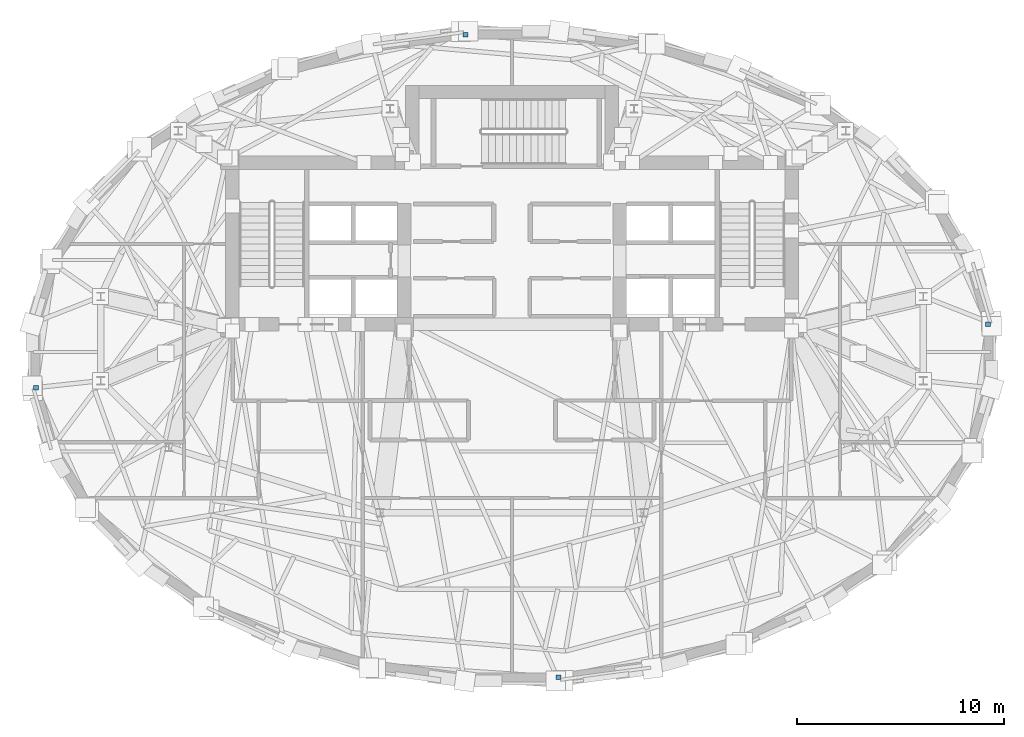
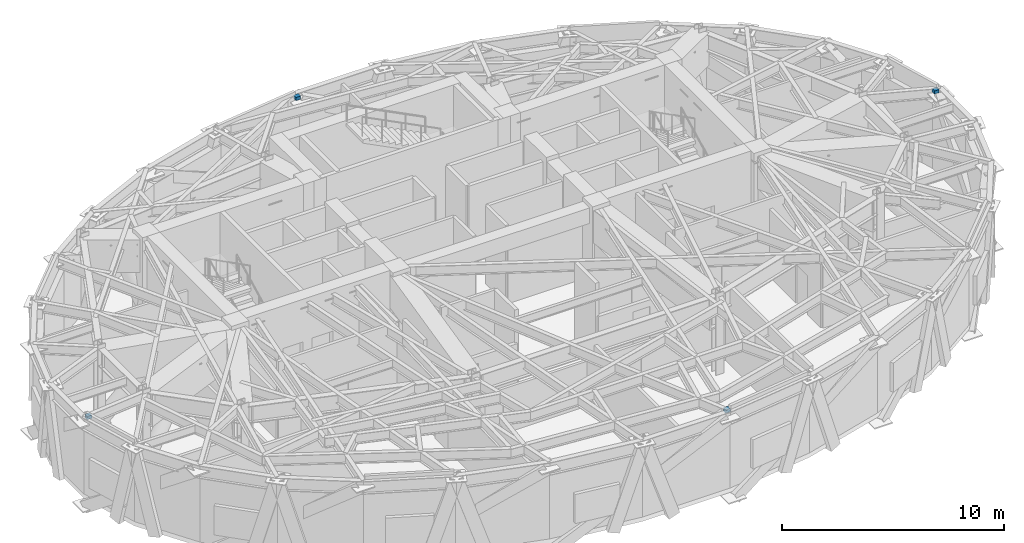
# One storey, part 9 of 12: 4 discrete accessories.
"""IFC4 building model written with IfcOpenShell, lengths in metres."""

from ifc_helpers import new_model, si_unit, direction, frame, origin, origin_2d, place, context, subcontext, project, spatial, rectangle, extrude, material, type_object, element, save


model = new_model("IFC4")

# Units and contexts
model_context = context("Model", 3, precision=1e-05, world=origin(), true_north=direction((0.0, 1.0)))
body_context = subcontext(model_context, "Body", "Model", "MODEL_VIEW")
ifc_project = project(units=[si_unit("LENGTHUNIT", "METRE"), si_unit("AREAUNIT", "SQUARE_METRE"), si_unit("VOLUMEUNIT", "CUBIC_METRE"), si_unit("PLANEANGLEUNIT", "RADIAN"), si_unit("MASSUNIT", "GRAM", prefix="KILO")], contexts=[model_context])

# Site, building, storey
site_placement = place(None, origin())
site = spatial("IfcSite", under=ifc_project, at=site_placement, CompositionType="ELEMENT")
building_placement = place(site_placement, origin())
building = spatial("IfcBuilding", under=site, at=building_placement, Name="Keldmark Tower", CompositionType="ELEMENT")
storey_placement = place(building_placement, frame((0.0, 0.0, 201.39990234375)))
storey = spatial("IfcBuildingStorey", under=building, at=storey_placement, Name="L56", CompositionType="ELEMENT", Elevation=201.39990234375)

# Discrete accessories
ifc_material = material(Name="Hot-Dip Galvanized Steel ASTM A572 Grade 50", Category="steel")
discrete_accessory_type = type_object("IfcDiscreteAccessoryType", Name="Masonry Spandrel Shelf-Angle Bracket", PredefinedType="BRACKET", material=ifc_material)
for number, where, z_axis, x_axis, name in (
    (1, (22.9482421875, 1.53271484375, 4.09033203125), (0.0, 0.0, 1.0), (1.0, 0.0, 0.0), "L56 Masonry Shelf-Angle Bracket 00"),
    (2, (-2.249267578125, 15.486328125, 4.09033203125), (0.0, 0.0, 1.0), (1.0, 0.0, 0.0), "L56 Masonry Shelf-Angle Bracket 08"),
    (3, (-22.9482421875, -1.53271484375, 4.09033203125), (0.0, 0.0, 1.0), (1.0, 0.0, 0.0), "L56 Masonry Shelf-Angle Bracket 16"),
    (4, (2.249267578125, -15.486328125, 4.09033203125), (0.0, 0.0, 1.0), (1.0, 0.0, 0.0), "L56 Masonry Shelf-Angle Bracket 24"),
):
    element("IfcDiscreteAccessory", number, at=place(storey_placement, frame(where, z_axis=z_axis, x_axis=x_axis)), inside=storey, type_object=discrete_accessory_type, Name=name, PredefinedType="BRACKET", context=body_context, shape_type="SweptSolid", body=[
        extrude(rectangle(XDim=0.239990234375, YDim=0.219970703125, at=origin_2d()), origin(), (0.0, 0.0, 1.0), 0.179931640625),
    ])

save(model, "model.ifc")
